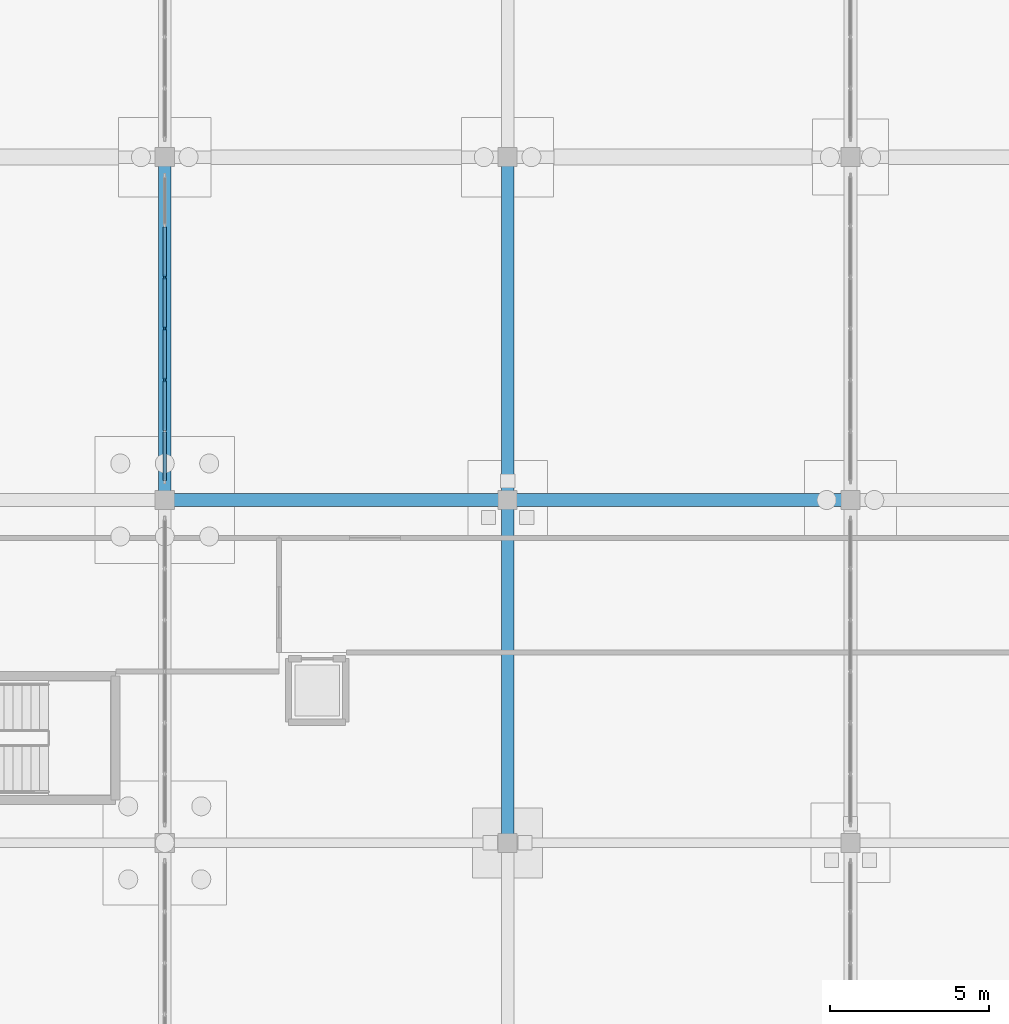
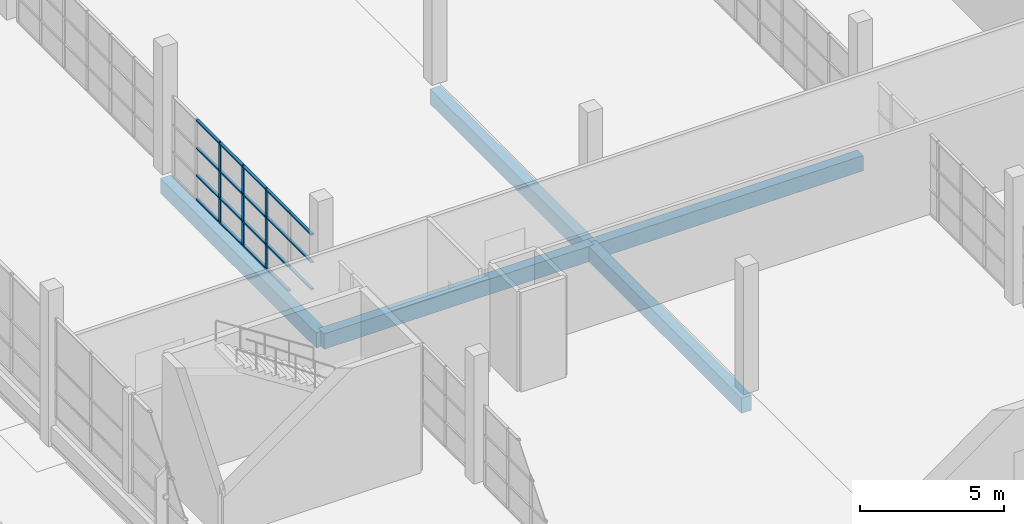
# One storey, part 18 of 138: 22 members, 5 beams, 1 element without a shape of its own.
"""IFC4 building model written with IfcOpenShell, lengths in metres."""

from ifc_helpers import new_model, si_unit, direction, frame, origin, origin_2d, place, context, subcontext, project, spatial, rectangle, extrude, material, material_profile, profile_set, type_object, element, aggregate, save


model = new_model("IFC4")

# Units and contexts
model_context = context("Model", 3, precision=1e-05, world=origin(), true_north=direction((0.0, 1.0)))
body_context = subcontext(model_context, "Body", "Model", "MODEL_VIEW")
ifc_project = project(units=[si_unit("LENGTHUNIT", "METRE"), si_unit("AREAUNIT", "SQUARE_METRE"), si_unit("VOLUMEUNIT", "CUBIC_METRE"), si_unit("PLANEANGLEUNIT", "RADIAN"), si_unit("MASSUNIT", "GRAM", prefix="KILO")], contexts=[model_context])

# Site, building, storey
site_placement = place(None, origin())
site = spatial("IfcSite", under=ifc_project, at=site_placement, CompositionType="ELEMENT")
building_placement = place(site_placement, origin())
building = spatial("IfcBuilding", under=site, at=building_placement, Name="Zwinboog Wholesale Market", CompositionType="ELEMENT")
storey_placement = place(building_placement, origin())
storey = spatial("IfcBuildingStorey", under=building, at=storey_placement, Name="L00", CompositionType="ELEMENT", Elevation=0.0)

# Beams
ifc_material_1 = material(Name="Precast concrete C45/55", Category="concrete")
ifc_material_profile_1 = material_profile(ifc_material_1, rectangle(XDim=0.39990234375, YDim=0.64990234375, at=origin_2d()), Name="PC 400x650")
ifc_profile_set_1 = profile_set([ifc_material_profile_1], Name="Precast concrete C45/55")
beam_type = type_object("IfcBeamType", Name="BT-05", PredefinedType="BEAM", material=ifc_profile_set_1)
beam_1_placement = place(storey_placement, frame((10.800048828125, 21.60009765625, -0.680908203125), z_axis=(1.0, 0.0, 0.0), x_axis=(0.0, 1.0, 0.0)))
element("IfcBeam", 1, at=beam_1_placement, inside=storey, type_object=beam_type, Name="BG-05 (BMG-L00-0108-0216-0030)", PredefinedType="BEAM", context=body_context, shape_type="SweptSolid", body=[
    extrude(rectangle(XDim=0.39990234375, YDim=0.64990234375, at=origin_2d()), origin(), (0.0, 0.0, 1.0), 10.800048828125),
])
for number, where, z_axis, x_axis, name in (
    (2, (21.60009765625, 21.60009765625, -0.680908203125), (1.0, 0.0, 0.0), (0.0, 1.0, 0.0), "BG-05 (BMG-L00-0216-0216-0031)"),
    (3, (10.800048828125, 21.60009765625, -0.680908203125), (0.0, 1.0, 0.0), (-1.0, 0.0, 0.0), "BG-05 (BMG-L00-0108-0216-0225)"),
):
    element("IfcBeam", number, at=place(storey_placement, frame(where, z_axis=z_axis, x_axis=x_axis)), inside=storey, type_object=beam_type, Name=name, PredefinedType="BEAM", context=body_context, shape_type="SweptSolid", body=[
        extrude(rectangle(XDim=0.39990234375, YDim=0.64990234375, at=origin_2d()), origin(), (0.0, 0.0, 1.0), 10.7998046875),
    ])
beam_2_placement = place(storey_placement, frame((21.60009765625, 10.800048828125, -0.680908203125), z_axis=(0.0, 1.0, 0.0), x_axis=(-1.0, 0.0, 0.0)))
element("IfcBeam", 4, at=beam_2_placement, inside=storey, type_object=beam_type, Name="BG-05 (BMG-L00-0216-0108-0236)", PredefinedType="BEAM", context=body_context, shape_type="SweptSolid", body=[
    extrude(rectangle(XDim=0.39990234375, YDim=0.64990234375, at=origin_2d()), origin(), (0.0, 0.0, 1.0), 10.800048828125),
])
beam_3_placement = place(storey_placement, frame((21.60009765625, 21.60009765625, -0.680908203125), z_axis=(0.0, 1.0, 0.0), x_axis=(-1.0, 0.0, 0.0)))
element("IfcBeam", 5, at=beam_3_placement, inside=storey, type_object=beam_type, Name="BG-05 (BMG-L00-0216-0216-0237)", PredefinedType="BEAM", context=body_context, shape_type="SweptSolid", body=[
    extrude(rectangle(XDim=0.39990234375, YDim=0.64990234375, at=origin_2d()), origin(), (0.0, 0.0, 1.0), 10.7998046875),
])

# Curtain wall, members
ifc_material_2 = material(Name="Aluminium thermally broken curtain wall", Category="aluminium")
curtain_wall_type = type_object("IfcCurtainWallType", Name="CWT-INT-STALL", PredefinedType="USERDEFINED", material=ifc_material_2)
curtain_wall_placement = place(storey_placement, origin())
curtain_wall = element("IfcCurtainWall", 6, at=curtain_wall_placement, inside=storey, type_object=curtain_wall_type, Name="CW-07 (CW-STL-211)", ObjectType="STOREFRONT_GLAZING", PredefinedType="USERDEFINED")
ifc_material_3 = material(Name="Aluminium EN AW-6060", Category="aluminium")
ifc_material_profile_2 = material_profile(ifc_material_3, rectangle(XDim=0.06005859375, YDim=0.14990234375, at=origin_2d()), Name="AL 60x150")
ifc_profile_set_2 = profile_set([ifc_material_profile_2], Name="Aluminium EN AW-6060")
member_type_1 = type_object("IfcMemberType", Name="CWM-INT-60x120", PredefinedType="MULLION", material=ifc_profile_set_2)
member_1_placement = place(storey_placement, frame((10.800048828125, 25.38330078125, 0.0), z_axis=(0.0, 0.0, 1.0), x_axis=(-1.0, 0.0, 0.0)))
member_1 = element("IfcMember", 7, at=member_1_placement, type_object=member_type_1, Name="CW-07 mullion 3", PredefinedType="MULLION", context=body_context, shape_type="SweptSolid", body=[
    extrude(rectangle(XDim=0.06005859375, YDim=0.14990234375, at=origin_2d()), origin(), (0.0, 0.0, 1.0), 3.39990234375),
])
member_2_placement = place(storey_placement, frame((10.800048828125, 27.0, 0.0), z_axis=(0.0, 0.0, 1.0), x_axis=(-1.0, 0.0, 0.0)))
member_2 = element("IfcMember", 8, at=member_2_placement, type_object=member_type_1, Name="CW-07 mullion 4", PredefinedType="MULLION", context=body_context, shape_type="SweptSolid", body=[
    extrude(rectangle(XDim=0.06005859375, YDim=0.14990234375, at=origin_2d()), origin(), (0.0, 0.0, 1.0), 3.39990234375),
])
member_3_placement = place(storey_placement, frame((10.800048828125, 28.61669921875, 0.0), z_axis=(0.0, 0.0, 1.0), x_axis=(-1.0, 0.0, 0.0)))
member_3 = element("IfcMember", 9, at=member_3_placement, type_object=member_type_1, Name="CW-07 mullion 5", PredefinedType="MULLION", context=body_context, shape_type="SweptSolid", body=[
    extrude(rectangle(XDim=0.06005859375, YDim=0.14990234375, at=origin_2d()), origin(), (0.0, 0.0, 1.0), 3.39990234375),
])
ifc_material_profile_3 = material_profile(ifc_material_3, rectangle(XDim=0.110107421875, YDim=0.06005859375, at=origin_2d()), Name="AL 60x110")
ifc_profile_set_3 = profile_set([ifc_material_profile_3], Name="Aluminium EN AW-6060")
member_type_2 = type_object("IfcMemberType", Name="CWT-INT-60x100", PredefinedType="USERDEFINED", material=ifc_profile_set_3)
member_4_placement = place(storey_placement, frame((10.800048828125, 22.2099609375, 1.050048828125), z_axis=(0.0, 1.0, 0.0), x_axis=(-1.0, 0.0, 0.0)))
member_4 = element("IfcMember", 10, at=member_4_placement, type_object=member_type_2, Name="CW-07 transom 1.2", ObjectType="TRANSOM", PredefinedType="USERDEFINED", context=body_context, shape_type="SweptSolid", body=[
    extrude(rectangle(XDim=0.110107421875, YDim=0.06005859375, at=origin_2d()), origin(), (0.0, 0.0, 1.0), 1.526611328125),
])
member_5_placement = place(storey_placement, frame((10.800048828125, 22.2099609375, 2.199951171875), z_axis=(0.0, 1.0, 0.0), x_axis=(-1.0, 0.0, 0.0)))
member_5 = element("IfcMember", 11, at=member_5_placement, type_object=member_type_2, Name="CW-07 transom 1.3", ObjectType="TRANSOM", PredefinedType="USERDEFINED", context=body_context, shape_type="SweptSolid", body=[
    extrude(rectangle(XDim=0.110107421875, YDim=0.06005859375, at=origin_2d()), origin(), (0.0, 0.0, 1.0), 1.526611328125),
])
member_6_placement = place(storey_placement, frame((10.800048828125, 22.2099609375, 3.3701171875), z_axis=(0.0, 1.0, 0.0), x_axis=(-1.0, 0.0, 0.0)))
member_6 = element("IfcMember", 12, at=member_6_placement, type_object=member_type_2, Name="CW-07 transom 1.4", ObjectType="TRANSOM", PredefinedType="USERDEFINED", context=body_context, shape_type="SweptSolid", body=[
    extrude(rectangle(XDim=0.110107421875, YDim=0.06005859375, at=origin_2d()), origin(), (0.0, 0.0, 1.0), 1.526611328125),
])
member_7_placement = place(storey_placement, frame((10.800048828125, 23.796630859375, 0.030029296875), z_axis=(0.0, 1.0, 0.0), x_axis=(-1.0, 0.0, 0.0)))
member_7 = element("IfcMember", 13, at=member_7_placement, type_object=member_type_2, Name="CW-07 transom 2.1", ObjectType="TRANSOM", PredefinedType="USERDEFINED", context=body_context, shape_type="SweptSolid", body=[
    extrude(rectangle(XDim=0.110107421875, YDim=0.06005859375, at=origin_2d()), origin(), (0.0, 0.0, 1.0), 1.556640625),
])
member_8_placement = place(storey_placement, frame((10.800048828125, 23.796630859375, 1.050048828125), z_axis=(0.0, 1.0, 0.0), x_axis=(-1.0, 0.0, 0.0)))
member_8 = element("IfcMember", 14, at=member_8_placement, type_object=member_type_2, Name="CW-07 transom 2.2", ObjectType="TRANSOM", PredefinedType="USERDEFINED", context=body_context, shape_type="SweptSolid", body=[
    extrude(rectangle(XDim=0.110107421875, YDim=0.06005859375, at=origin_2d()), origin(), (0.0, 0.0, 1.0), 1.556640625),
])
member_9_placement = place(storey_placement, frame((10.800048828125, 23.796630859375, 2.199951171875), z_axis=(0.0, 1.0, 0.0), x_axis=(-1.0, 0.0, 0.0)))
member_9 = element("IfcMember", 15, at=member_9_placement, type_object=member_type_2, Name="CW-07 transom 2.3", ObjectType="TRANSOM", PredefinedType="USERDEFINED", context=body_context, shape_type="SweptSolid", body=[
    extrude(rectangle(XDim=0.110107421875, YDim=0.06005859375, at=origin_2d()), origin(), (0.0, 0.0, 1.0), 1.556640625),
])
member_10_placement = place(storey_placement, frame((10.800048828125, 23.796630859375, 3.3701171875), z_axis=(0.0, 1.0, 0.0), x_axis=(-1.0, 0.0, 0.0)))
member_10 = element("IfcMember", 16, at=member_10_placement, type_object=member_type_2, Name="CW-07 transom 2.4", ObjectType="TRANSOM", PredefinedType="USERDEFINED", context=body_context, shape_type="SweptSolid", body=[
    extrude(rectangle(XDim=0.110107421875, YDim=0.06005859375, at=origin_2d()), origin(), (0.0, 0.0, 1.0), 1.556640625),
])
member_11_placement = place(storey_placement, frame((10.800048828125, 25.413330078125, 0.030029296875), z_axis=(0.0, 1.0, 0.0), x_axis=(-1.0, 0.0, 0.0)))
member_11 = element("IfcMember", 17, at=member_11_placement, type_object=member_type_2, Name="CW-07 transom 3.1", ObjectType="TRANSOM", PredefinedType="USERDEFINED", context=body_context, shape_type="SweptSolid", body=[
    extrude(rectangle(XDim=0.110107421875, YDim=0.06005859375, at=origin_2d()), origin(), (0.0, 0.0, 1.0), 1.556640625),
])
member_12_placement = place(storey_placement, frame((10.800048828125, 25.413330078125, 1.050048828125), z_axis=(0.0, 1.0, 0.0), x_axis=(-1.0, 0.0, 0.0)))
member_12 = element("IfcMember", 18, at=member_12_placement, type_object=member_type_2, Name="CW-07 transom 3.2", ObjectType="TRANSOM", PredefinedType="USERDEFINED", context=body_context, shape_type="SweptSolid", body=[
    extrude(rectangle(XDim=0.110107421875, YDim=0.06005859375, at=origin_2d()), origin(), (0.0, 0.0, 1.0), 1.556640625),
])
member_13_placement = place(storey_placement, frame((10.800048828125, 25.413330078125, 2.199951171875), z_axis=(0.0, 1.0, 0.0), x_axis=(-1.0, 0.0, 0.0)))
member_13 = element("IfcMember", 19, at=member_13_placement, type_object=member_type_2, Name="CW-07 transom 3.3", ObjectType="TRANSOM", PredefinedType="USERDEFINED", context=body_context, shape_type="SweptSolid", body=[
    extrude(rectangle(XDim=0.110107421875, YDim=0.06005859375, at=origin_2d()), origin(), (0.0, 0.0, 1.0), 1.556640625),
])
member_14_placement = place(storey_placement, frame((10.800048828125, 25.413330078125, 3.3701171875), z_axis=(0.0, 1.0, 0.0), x_axis=(-1.0, 0.0, 0.0)))
member_14 = element("IfcMember", 20, at=member_14_placement, type_object=member_type_2, Name="CW-07 transom 3.4", ObjectType="TRANSOM", PredefinedType="USERDEFINED", context=body_context, shape_type="SweptSolid", body=[
    extrude(rectangle(XDim=0.110107421875, YDim=0.06005859375, at=origin_2d()), origin(), (0.0, 0.0, 1.0), 1.556640625),
])
member_15_placement = place(storey_placement, frame((10.800048828125, 27.030029296875, 0.030029296875), z_axis=(0.0, 1.0, 0.0), x_axis=(-1.0, 0.0, 0.0)))
member_15 = element("IfcMember", 21, at=member_15_placement, type_object=member_type_2, Name="CW-07 transom 4.1", ObjectType="TRANSOM", PredefinedType="USERDEFINED", context=body_context, shape_type="SweptSolid", body=[
    extrude(rectangle(XDim=0.110107421875, YDim=0.06005859375, at=origin_2d()), origin(), (0.0, 0.0, 1.0), 1.556640625),
])
member_16_placement = place(storey_placement, frame((10.800048828125, 27.030029296875, 1.050048828125), z_axis=(0.0, 1.0, 0.0), x_axis=(-1.0, 0.0, 0.0)))
member_16 = element("IfcMember", 22, at=member_16_placement, type_object=member_type_2, Name="CW-07 transom 4.2", ObjectType="TRANSOM", PredefinedType="USERDEFINED", context=body_context, shape_type="SweptSolid", body=[
    extrude(rectangle(XDim=0.110107421875, YDim=0.06005859375, at=origin_2d()), origin(), (0.0, 0.0, 1.0), 1.556640625),
])
member_17_placement = place(storey_placement, frame((10.800048828125, 27.030029296875, 2.199951171875), z_axis=(0.0, 1.0, 0.0), x_axis=(-1.0, 0.0, 0.0)))
member_17 = element("IfcMember", 23, at=member_17_placement, type_object=member_type_2, Name="CW-07 transom 4.3", ObjectType="TRANSOM", PredefinedType="USERDEFINED", context=body_context, shape_type="SweptSolid", body=[
    extrude(rectangle(XDim=0.110107421875, YDim=0.06005859375, at=origin_2d()), origin(), (0.0, 0.0, 1.0), 1.556640625),
])
member_18_placement = place(storey_placement, frame((10.800048828125, 27.030029296875, 3.3701171875), z_axis=(0.0, 1.0, 0.0), x_axis=(-1.0, 0.0, 0.0)))
member_18 = element("IfcMember", 24, at=member_18_placement, type_object=member_type_2, Name="CW-07 transom 4.4", ObjectType="TRANSOM", PredefinedType="USERDEFINED", context=body_context, shape_type="SweptSolid", body=[
    extrude(rectangle(XDim=0.110107421875, YDim=0.06005859375, at=origin_2d()), origin(), (0.0, 0.0, 1.0), 1.556640625),
])
member_19_placement = place(storey_placement, frame((10.800048828125, 28.646728515625, 0.030029296875), z_axis=(0.0, 1.0, 0.0), x_axis=(-1.0, 0.0, 0.0)))
member_19 = element("IfcMember", 25, at=member_19_placement, type_object=member_type_2, Name="CW-07 transom 5.1", ObjectType="TRANSOM", PredefinedType="USERDEFINED", context=body_context, shape_type="SweptSolid", body=[
    extrude(rectangle(XDim=0.110107421875, YDim=0.06005859375, at=origin_2d()), origin(), (0.0, 0.0, 1.0), 1.556640625),
])
member_20_placement = place(storey_placement, frame((10.800048828125, 28.646728515625, 1.050048828125), z_axis=(0.0, 1.0, 0.0), x_axis=(-1.0, 0.0, 0.0)))
member_20 = element("IfcMember", 26, at=member_20_placement, type_object=member_type_2, Name="CW-07 transom 5.2", ObjectType="TRANSOM", PredefinedType="USERDEFINED", context=body_context, shape_type="SweptSolid", body=[
    extrude(rectangle(XDim=0.110107421875, YDim=0.06005859375, at=origin_2d()), origin(), (0.0, 0.0, 1.0), 1.556640625),
])
member_21_placement = place(storey_placement, frame((10.800048828125, 28.646728515625, 2.199951171875), z_axis=(0.0, 1.0, 0.0), x_axis=(-1.0, 0.0, 0.0)))
member_21 = element("IfcMember", 27, at=member_21_placement, type_object=member_type_2, Name="CW-07 transom 5.3", ObjectType="TRANSOM", PredefinedType="USERDEFINED", context=body_context, shape_type="SweptSolid", body=[
    extrude(rectangle(XDim=0.110107421875, YDim=0.06005859375, at=origin_2d()), origin(), (0.0, 0.0, 1.0), 1.556640625),
])
member_22_placement = place(storey_placement, frame((10.800048828125, 28.646728515625, 3.3701171875), z_axis=(0.0, 1.0, 0.0), x_axis=(-1.0, 0.0, 0.0)))
member_22 = element("IfcMember", 28, at=member_22_placement, type_object=member_type_2, Name="CW-07 transom 5.4", ObjectType="TRANSOM", PredefinedType="USERDEFINED", context=body_context, shape_type="SweptSolid", body=[
    extrude(rectangle(XDim=0.110107421875, YDim=0.06005859375, at=origin_2d()), origin(), (0.0, 0.0, 1.0), 1.556640625),
])
aggregate(curtain_wall, [member_1, member_2, member_3, member_4, member_5, member_6, member_7, member_8, member_9, member_10, member_11, member_12, member_13, member_14, member_15, member_16, member_17, member_18, member_19, member_20, member_21, member_22])

save(model, "model.ifc")
